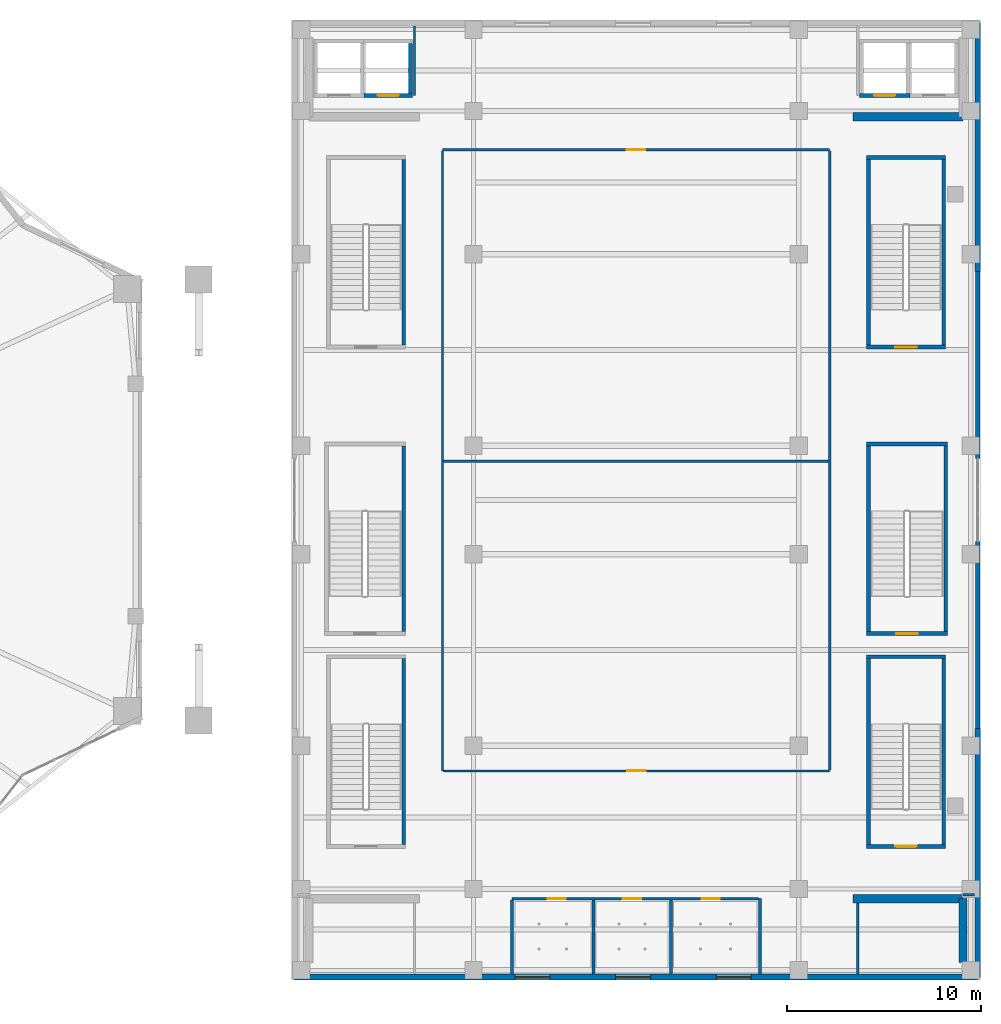
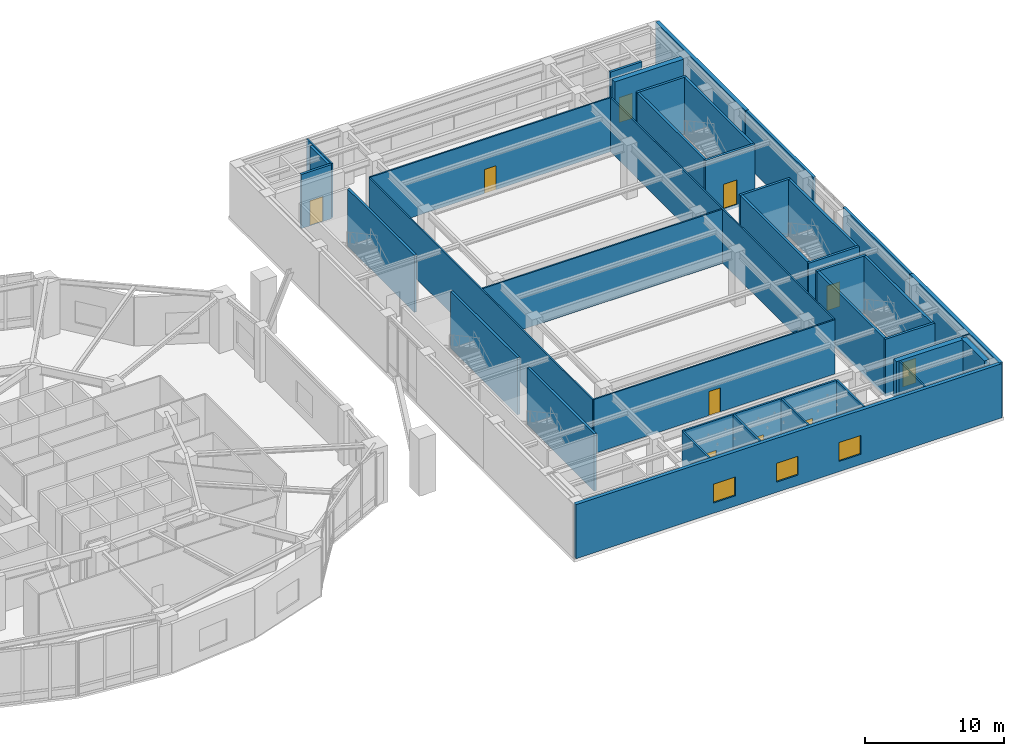
# One storey, part 15 of 21: 39 walls, 10 doors, 3 windows, 13 openings.
"""IFC4 building model written with IfcOpenShell, lengths in metres."""

from ifc_helpers import new_model, si_unit, direction, frame, frame_2d, origin, place, context, subcontext, project, spatial, rectangle, extrude, material, layer, layer_set, type_object, element, fill, save


model = new_model("IFC4")

# Units and contexts
model_context = context("Model", 3, precision=1e-05, world=origin(), true_north=direction((0.0, 1.0)))
body_context = subcontext(model_context, "Body", "Model", "MODEL_VIEW")
ifc_project = project(units=[si_unit("LENGTHUNIT", "METRE"), si_unit("AREAUNIT", "SQUARE_METRE"), si_unit("VOLUMEUNIT", "CUBIC_METRE"), si_unit("PLANEANGLEUNIT", "RADIAN"), si_unit("MASSUNIT", "GRAM", prefix="KILO")], contexts=[model_context])

# Site, building, storey
site_placement = place(None, origin())
site = spatial("IfcSite", under=ifc_project, at=site_placement, CompositionType="ELEMENT")
building_placement = place(site_placement, origin())
building = spatial("IfcBuilding", under=site, at=building_placement, Name="Kolvaren Gate Tower and Convention Centre", CompositionType="ELEMENT")
storey_placement = place(building_placement, frame((0.0, 0.0, 5.0)))
storey = spatial("IfcBuildingStorey", under=building, at=storey_placement, Name="L01", CompositionType="ELEMENT", Elevation=5.0)

# Walls
ifc_material_1 = material(Name="Fire-Rated Acoustic Gypsum Stud Partition", Category="gypsum")
ifc_layer_1 = layer(ifc_material_1, 0.1201171875)
ifc_layer_set_1 = layer_set([ifc_layer_1], Name="Fire-Rated Acoustic Gypsum Stud Partition")
wall_type_1 = type_object("IfcWallType", Name="ARCH-WL-PART-120", PredefinedType="PARTITIONING", material=ifc_layer_set_1)
wall_1_placement = place(storey_placement, frame((96.89990234375, 6.60009765625, 0.0), z_axis=(0.0, 0.0, 1.0), x_axis=(1.0, 0.0, 0.0)))
element("IfcWall", 1, at=wall_1_placement, inside=storey, type_object=wall_type_1, Name="Interior Partition WL-L01-INT-051", PredefinedType="PARTITIONING", context=body_context, shape_type="SweptSolid", body=[
    extrude(rectangle(XDim=0.59814453125, YDim=0.1201171875, at=frame_2d((0.299072265625, 0.0))), origin(), (0.0, 0.0, 1.0), 4.739990234375),
])
wall_2_placement = place(storey_placement, frame((68.550048828125, 47.89990234375, 0.0), z_axis=(0.0, 0.0, 1.0), x_axis=(0.0, 1.0, 0.0)))
element("IfcWall", 2, at=wall_2_placement, inside=storey, type_object=wall_type_1, Name="Interior Partition WL-L01-INT-053", PredefinedType="PARTITIONING", context=body_context, shape_type="SweptSolid", body=[
    extrude(rectangle(XDim=3.59814453125, YDim=0.1201171875, at=frame_2d((1.799072265625, 0.0))), origin(), (0.0, 0.0, 1.0), 4.739990234375),
])
wall_3_placement = place(storey_placement, frame((91.449951171875, 2.501953125, 0.0), z_axis=(0.0, 0.0, 1.0), x_axis=(0.0, 1.0, 0.0)))
element("IfcWall", 3, at=wall_3_placement, inside=storey, type_object=wall_type_1, Name="Interior Partition WL-L01-INT-054", PredefinedType="PARTITIONING", context=body_context, shape_type="SweptSolid", body=[
    extrude(rectangle(XDim=3.68603515625, YDim=0.1201171875, at=frame_2d((1.843017578125, 0.0))), origin(), (0.0, 0.0, 1.0), 4.739990234375),
])

# Wall, opening, door
wall_4_placement = place(storey_placement, frame((70.0, 45.10009765625, 0.0), z_axis=(0.0, 0.0, 1.0), x_axis=(1.0, 0.0, 0.0)))
wall_4 = element("IfcWall", 4, at=wall_4_placement, inside=storey, type_object=wall_type_1, Name="Interior Partition WL-L01-INT-059", PredefinedType="PARTITIONING", context=body_context, shape_type="SweptSolid", body=[
    extrude(rectangle(XDim=20.0, YDim=0.1201171875, at=frame_2d((10.0, 0.0))), origin(), (0.0, 0.0, 1.0), 4.739990234375),
])
opening_1_placement = place(wall_4_placement, frame((9.52490234375, 0.0, 0.0)))
opening_1 = element("IfcOpeningElement", 5, at=opening_1_placement, cuts=wall_4, Name="Opening DR-01", PredefinedType="OPENING", context=body_context, shape_type="SweptSolid", body=[
    extrude(rectangle(XDim=0.949951171875, YDim=2.10009765625, at=frame_2d((0.47509765625, 1.050048828125))), frame((0.0, 0.070068359375, 0.0), z_axis=(0.0, -1.0, 0.0), x_axis=(1.0, 0.0, 0.0)), (0.0, 0.0, 1.0), 0.14013671875),
])
ifc_material_2 = material(Name="Painted Architectural Steelwork ASTM A500 Grade C 345 MPa", Category="steel")
door_type_1 = type_object("IfcDoorType", Name="ARCH-DR-RISER-950", OperationType="SINGLE_SWING_RIGHT", PredefinedType="DOOR", material=ifc_material_2)
door_1_placement = place(opening_1_placement, origin())
door_1 = element("IfcDoor", 6, at=door_1_placement, inside=storey, type_object=door_type_1, Name="Breakout Symposium Theatre B Door", OperationType="SINGLE_SWING_LEFT", OverallHeight=2.10009765625, OverallWidth=0.949951171875, PredefinedType="DOOR", context=body_context, shape_type="SweptSolid", body=[
    extrude(rectangle(XDim=0.949951171875, YDim=2.10009765625, at=frame_2d((0.47509765625, 1.050048828125))), frame((0.0, 0.02490234375, 0.0), z_axis=(0.0, -1.0, 0.0), x_axis=(1.0, 0.0, 0.0)), (0.0, 0.0, 1.0), 0.050048828125),
])
fill(opening_1, door_1)

# Wall
wall_5_placement = place(storey_placement, frame((70.0, 13.0, 0.0), z_axis=(0.0, 0.0, 1.0), x_axis=(0.0, 1.0, 0.0)))
element("IfcWall", 7, at=wall_5_placement, inside=storey, type_object=wall_type_1, Name="Interior Partition WL-L01-INT-060", PredefinedType="PARTITIONING", context=body_context, shape_type="SweptSolid", body=[
    extrude(rectangle(XDim=32.0380859375, YDim=0.1201171875, at=frame_2d((16.01904296875, 0.0))), origin(), (0.0, 0.0, 1.0), 4.739990234375),
])

# Wall, opening, door
wall_6_placement = place(storey_placement, frame((70.06201171875, 13.0, 0.0), z_axis=(0.0, 0.0, 1.0), x_axis=(1.0, 0.0, 0.0)))
wall_6 = element("IfcWall", 8, at=wall_6_placement, inside=storey, type_object=wall_type_1, Name="Interior Partition WL-L01-INT-061", PredefinedType="PARTITIONING", context=body_context, shape_type="SweptSolid", body=[
    extrude(rectangle(XDim=19.93798828125, YDim=0.1201171875, at=frame_2d((9.968994140625, 0.0))), origin(), (0.0, 0.0, 1.0), 4.739990234375),
])
opening_2_placement = place(wall_6_placement, frame((9.493896484375, 0.0, 0.0)))
opening_2 = element("IfcOpeningElement", 9, at=opening_2_placement, cuts=wall_6, Name="Opening DR-01", PredefinedType="OPENING", context=body_context, shape_type="SweptSolid", body=[
    extrude(rectangle(XDim=0.949951171875, YDim=2.10009765625, at=frame_2d((0.47509765625, 1.050048828125))), frame((0.0, 0.070068359375, 0.0), z_axis=(0.0, -1.0, 0.0), x_axis=(1.0, 0.0, 0.0)), (0.0, 0.0, 1.0), 0.14013671875),
])
door_2_placement = place(opening_2_placement, origin())
door_2 = element("IfcDoor", 10, at=door_2_placement, inside=storey, type_object=door_type_1, Name="Breakout Symposium Theatre A Door", OperationType="SINGLE_SWING_RIGHT", OverallHeight=2.10009765625, OverallWidth=0.949951171875, PredefinedType="DOOR", context=body_context, shape_type="SweptSolid", body=[
    extrude(rectangle(XDim=0.949951171875, YDim=2.10009765625, at=frame_2d((0.47509765625, 1.050048828125))), frame((0.0, 0.02490234375, 0.0), z_axis=(0.0, -1.0, 0.0), x_axis=(1.0, 0.0, 0.0)), (0.0, 0.0, 1.0), 0.050048828125),
])
fill(opening_2, door_2)

# Walls
wall_7_placement = place(storey_placement, frame((90.0, 13.06201171875, 0.0), z_axis=(0.0, 0.0, 1.0), x_axis=(0.0, 1.0, 0.0)))
element("IfcWall", 11, at=wall_7_placement, inside=storey, type_object=wall_type_1, Name="Interior Partition WL-L01-INT-062", PredefinedType="PARTITIONING", context=body_context, shape_type="SweptSolid", body=[
    extrude(rectangle(XDim=31.97607421875, YDim=0.1201171875, at=frame_2d((15.988037109375, 0.0))), origin(), (0.0, 0.0, 1.0), 4.739990234375),
])
wall_8_placement = place(storey_placement, frame((70.06201171875, 29.0, 0.0), z_axis=(0.0, 0.0, 1.0), x_axis=(1.0, 0.0, 0.0)))
element("IfcWall", 12, at=wall_8_placement, inside=storey, type_object=wall_type_1, Name="Interior Partition WL-L01-INT-065", PredefinedType="PARTITIONING", context=body_context, shape_type="SweptSolid", body=[
    extrude(rectangle(XDim=19.8759765625, YDim=0.1201171875, at=frame_2d((9.93798828125, 0.0))), origin(), (0.0, 0.0, 1.0), 4.739990234375),
])
ifc_material_3 = material(Name="Bogota Sabana Bush-Hammered Sandstone Cladding", Category="masonry")
ifc_layer_2 = layer(ifc_material_3, 0.219970703125)
ifc_layer_set_2 = layer_set([ifc_layer_2], Name="Bogota Sabana Bush-Hammered Sandstone Cladding")
wall_type_2 = type_object("IfcWallType", Name="ARCH-WL-PIER-220", PredefinedType="SOLIDWALL", material=ifc_layer_set_2)
for number, where, z_axis, x_axis, name in (
    (13, (97.64990234375, 15.199951171875, 0.0), (0.0, 0.0, 1.0), (0.0, 1.0, 0.0), "Convention L01 E Foyer Curtain Wall CW-CC-L01-E Left Column Pier Wrap"),
    (14, (97.64990234375, 29.139892578125, 0.0), (0.0, 0.0, 1.0), (0.0, 1.0, 0.0), "Convention L01 E Foyer Curtain Wall CW-CC-L01-E Right Column Pier Wrap"),
):
    element("IfcWall", number, at=place(storey_placement, frame(where, z_axis=z_axis, x_axis=x_axis)), inside=storey, type_object=wall_type_2, Name=name, PredefinedType="SOLIDWALL", context=body_context, shape_type="SweptSolid", body=[
        extrude(rectangle(XDim=9.66015625, YDim=0.219970703125, at=frame_2d((4.830078125, 0.0))), origin(), (0.0, 0.0, 1.0), 4.739990234375),
    ])

# Wall, opening, door
ifc_material_4 = material(Name="Autoclaved Aerated Masonry Blockwork Class 4 (4.0 MPa)", Category="masonry")
ifc_layer_3 = layer(ifc_material_4, 0.199951171875)
ifc_layer_set_3 = layer_set([ifc_layer_3], Name="Autoclaved Aerated Masonry Blockwork Class 4 (4.0 MPa)")
wall_type_3 = type_object("IfcWallType", Name="ARCH-WL-SHAFT-200", PredefinedType="SOLIDWALL", material=ifc_layer_set_3)
wall_9_placement = place(storey_placement, frame((65.949951171875, 47.89990234375, 0.0), z_axis=(0.0, 0.0, 1.0), x_axis=(1.0, 0.0, 0.0)))
wall_9 = element("IfcWall", 15, at=wall_9_placement, inside=storey, type_object=wall_type_3, Name="Elevator CL-02 L01 Fire Shaft Wall S", PredefinedType="SOLIDWALL", context=body_context, shape_type="SweptSolid", body=[
    extrude(rectangle(XDim=2.5, YDim=0.199951171875, at=frame_2d((1.25, 0.0))), origin(), (0.0, 0.0, 1.0), 4.739990234375),
])
opening_3_placement = place(wall_9_placement, frame((0.699951171875, 0.0, 0.0)))
opening_3 = element("IfcOpeningElement", 16, at=opening_3_placement, cuts=wall_9, Name="Opening LD", PredefinedType="OPENING", context=body_context, shape_type="SweptSolid", body=[
    extrude(rectangle(XDim=1.10009765625, YDim=2.199951171875, at=frame_2d((0.550048828125, 1.10009765625))), frame((0.0, 0.10986328125, 0.0), z_axis=(0.0, -1.0, 0.0), x_axis=(1.0, 0.0, 0.0)), (0.0, 0.0, 1.0), 0.219970703125),
])
ifc_material_5 = material(Name="Brushed Stainless Steel Grade 316L", Category="steel")
door_type_2 = type_object("IfcDoorType", Name="ARCH-DR-LIFT-1100", OperationType="SLIDING_TO_LEFT", PredefinedType="DOOR", material=ifc_material_5)
door_3_placement = place(opening_3_placement, origin())
door_3 = element("IfcDoor", 17, at=door_3_placement, inside=storey, type_object=door_type_2, Name="Elevator CL-02 L01 Sliding Landing Door", OperationType="SLIDING_TO_LEFT", OverallHeight=2.199951171875, OverallWidth=1.10009765625, PredefinedType="DOOR", context=body_context, shape_type="SweptSolid", body=[
    extrude(rectangle(XDim=1.10009765625, YDim=2.199951171875, at=frame_2d((0.550048828125, 1.10009765625))), frame((0.0, 0.02490234375, 0.0), z_axis=(0.0, -1.0, 0.0), x_axis=(1.0, 0.0, 0.0)), (0.0, 0.0, 1.0), 0.050048828125),
])
fill(opening_3, door_3)

# Wall
wall_10_placement = place(storey_placement, frame((68.35009765625, 48.010009765625, 0.0), z_axis=(0.0, 0.0, 1.0), x_axis=(0.0, 1.0, 0.0)))
element("IfcWall", 18, at=wall_10_placement, inside=storey, type_object=wall_type_3, Name="Elevator CL-02 L01 Fire Shaft Wall E", PredefinedType="SOLIDWALL", context=body_context, shape_type="SweptSolid", body=[
    extrude(rectangle(XDim=2.580078125, YDim=0.199951171875, at=frame_2d((1.2900390625, 0.0))), origin(), (0.0, 0.0, 1.0), 4.739990234375),
])

# Wall, opening, door
wall_11_placement = place(storey_placement, frame((91.550048828125, 47.89990234375, 0.0), z_axis=(0.0, 0.0, 1.0), x_axis=(1.0, 0.0, 0.0)))
wall_11 = element("IfcWall", 19, at=wall_11_placement, inside=storey, type_object=wall_type_3, Name="Elevator CL-03 L01 Fire Shaft Wall S", PredefinedType="SOLIDWALL", context=body_context, shape_type="SweptSolid", body=[
    extrude(rectangle(XDim=2.599853515625, YDim=0.199951171875, at=frame_2d((1.2998046875, 0.0))), origin(), (0.0, 0.0, 1.0), 4.739990234375),
])
opening_4_placement = place(wall_11_placement, frame((0.75, 0.0, 0.0)))
opening_4 = element("IfcOpeningElement", 20, at=opening_4_placement, cuts=wall_11, Name="Opening LD", PredefinedType="OPENING", context=body_context, shape_type="SweptSolid", body=[
    extrude(rectangle(XDim=1.10009765625, YDim=2.199951171875, at=frame_2d((0.550048828125, 1.10009765625))), frame((0.0, 0.10986328125, 0.0), z_axis=(0.0, -1.0, 0.0), x_axis=(1.0, 0.0, 0.0)), (0.0, 0.0, 1.0), 0.219970703125),
])
door_4_placement = place(opening_4_placement, origin())
door_4 = element("IfcDoor", 21, at=door_4_placement, inside=storey, type_object=door_type_2, Name="Elevator CL-03 L01 Sliding Landing Door", OperationType="SLIDING_TO_LEFT", OverallHeight=2.199951171875, OverallWidth=1.10009765625, PredefinedType="DOOR", context=body_context, shape_type="SweptSolid", body=[
    extrude(rectangle(XDim=1.10009765625, YDim=2.199951171875, at=frame_2d((0.550048828125, 1.10009765625))), frame((0.0, 0.02490234375, 0.0), z_axis=(0.0, -1.0, 0.0), x_axis=(1.0, 0.0, 0.0)), (0.0, 0.0, 1.0), 0.050048828125),
])
fill(opening_4, door_4)

# Wall, openings, windows
ifc_material_6 = material(Name="Piedmont Cream Honed Limestone Cladding", Category="masonry")
ifc_layer_4 = layer(ifc_material_6, 0.300048828125)
ifc_layer_set_4 = layer_set([ifc_layer_4], Name="Piedmont Cream Honed Limestone Cladding")
wall_type_4 = type_object("IfcWallType", Name="ARCH-WL-STONE-300", PredefinedType="SOLIDWALL", material=ifc_layer_set_4)
wall_12_placement = place(storey_placement, frame((62.35009765625, 2.35009765625, 0.0), z_axis=(0.0, 0.0, 1.0), x_axis=(1.0, 0.0, 0.0)))
wall_12 = element("IfcWall", 22, at=wall_12_placement, inside=storey, type_object=wall_type_4, Name="Convention Centre L01 S Stone Facade Wall", PredefinedType="SOLIDWALL", context=body_context, shape_type="SweptSolid", body=[
    extrude(rectangle(XDim=35.2998046875, YDim=0.300048828125, at=frame_2d((17.64990234375, 0.0))), origin(), (0.0, 0.0, 1.0), 4.739990234375),
])
opening_5_placement = place(wall_12_placement, frame((11.39990234375, 0.0, 0.89990234375)))
opening_5 = element("IfcOpeningElement", 23, at=opening_5_placement, cuts=wall_12, Name="Opening W-05", PredefinedType="OPENING", context=body_context, shape_type="SweptSolid", body=[
    extrude(rectangle(XDim=1.800048828125, YDim=1.64990234375, at=frame_2d((0.89990234375, 0.824951171875))), frame((0.0, 0.159912109375, 0.0), z_axis=(0.0, -1.0, 0.0), x_axis=(1.0, 0.0, 0.0)), (0.0, 0.0, 1.0), 0.320068359375),
])
opening_6_placement = place(wall_12_placement, frame((16.60009765625, 0.0, 0.89990234375)))
opening_6 = element("IfcOpeningElement", 24, at=opening_6_placement, cuts=wall_12, Name="Opening W-05", PredefinedType="OPENING", context=body_context, shape_type="SweptSolid", body=[
    extrude(rectangle(XDim=1.800048828125, YDim=1.64990234375, at=frame_2d((0.89990234375, 0.824951171875))), frame((0.0, 0.159912109375, 0.0), z_axis=(0.0, -1.0, 0.0), x_axis=(1.0, 0.0, 0.0)), (0.0, 0.0, 1.0), 0.320068359375),
])
opening_7_placement = place(wall_12_placement, frame((21.800048828125, 0.0, 0.89990234375)))
opening_7 = element("IfcOpeningElement", 25, at=opening_7_placement, cuts=wall_12, Name="Opening W-05", PredefinedType="OPENING", context=body_context, shape_type="SweptSolid", body=[
    extrude(rectangle(XDim=1.800048828125, YDim=1.64990234375, at=frame_2d((0.89990234375, 0.824951171875))), frame((0.0, 0.159912109375, 0.0), z_axis=(0.0, -1.0, 0.0), x_axis=(1.0, 0.0, 0.0)), (0.0, 0.0, 1.0), 0.320068359375),
])
ifc_material_7 = material(Name="Low-E Triple Insulated Glazing Unit 44 mm", Category="glass")
window_type = type_object("IfcWindowType", Name="ARCH-WN-CONV-1800", PartitioningType="SINGLE_PANEL", PredefinedType="WINDOW", material=ifc_material_7)
window_1_placement = place(opening_5_placement, origin())
window_1 = element("IfcWindow", 26, at=window_1_placement, inside=storey, type_object=window_type, Name="Convention L01 S Clerestory Window CW-1", OverallHeight=1.64990234375, OverallWidth=1.800048828125, PartitioningType="SINGLE_PANEL", PredefinedType="WINDOW", context=body_context, shape_type="SweptSolid", body=[
    extrude(rectangle(XDim=1.800048828125, YDim=1.64990234375, at=frame_2d((0.89990234375, 0.824951171875))), frame((0.0, 0.030029296875, 0.0), z_axis=(0.0, -1.0, 0.0), x_axis=(1.0, 0.0, 0.0)), (0.0, 0.0, 1.0), 0.06005859375),
])
fill(opening_5, window_1)
window_2_placement = place(opening_6_placement, origin())
window_2 = element("IfcWindow", 27, at=window_2_placement, inside=storey, type_object=window_type, Name="Convention L01 S Clerestory Window CW-2", OverallHeight=1.64990234375, OverallWidth=1.800048828125, PartitioningType="SINGLE_PANEL", PredefinedType="WINDOW", context=body_context, shape_type="SweptSolid", body=[
    extrude(rectangle(XDim=1.800048828125, YDim=1.64990234375, at=frame_2d((0.89990234375, 0.824951171875))), frame((0.0, 0.030029296875, 0.0), z_axis=(0.0, -1.0, 0.0), x_axis=(1.0, 0.0, 0.0)), (0.0, 0.0, 1.0), 0.06005859375),
])
fill(opening_6, window_2)
window_3_placement = place(opening_7_placement, origin())
window_3 = element("IfcWindow", 28, at=window_3_placement, inside=storey, type_object=window_type, Name="Convention L01 S Clerestory Window CW-3", OverallHeight=1.64990234375, OverallWidth=1.800048828125, PartitioningType="SINGLE_PANEL", PredefinedType="WINDOW", context=body_context, shape_type="SweptSolid", body=[
    extrude(rectangle(XDim=1.800048828125, YDim=1.64990234375, at=frame_2d((0.89990234375, 0.824951171875))), frame((0.0, 0.030029296875, 0.0), z_axis=(0.0, -1.0, 0.0), x_axis=(1.0, 0.0, 0.0)), (0.0, 0.0, 1.0), 0.06005859375),
])
fill(opening_7, window_3)

# Walls
for number, where, z_axis, x_axis, name in (
    (29, (97.64990234375, 2.35009765625, 0.0), (0.0, 0.0, 1.0), (0.0, 1.0, 0.0), "Convention L01 E Stone Wing Wall South"),
    (30, (97.64990234375, 38.800048828125, 0.0), (0.0, 0.0, 1.0), (0.0, 1.0, 0.0), "Convention L01 E Stone Wing Wall North"),
):
    element("IfcWall", number, at=place(storey_placement, frame(where, z_axis=z_axis, x_axis=x_axis)), inside=storey, type_object=wall_type_4, Name=name, PredefinedType="SOLIDWALL", context=body_context, shape_type="SweptSolid", body=[
        extrude(rectangle(XDim=12.849853515625, YDim=0.300048828125, at=frame_2d((6.4248046875, 0.0))), origin(), (0.0, 0.0, 1.0), 4.739990234375),
    ])
ifc_material_8 = material(Name="Moisture-Resistant Cement-Board Acoustic Partition", Category="gypsum")
ifc_layer_5 = layer(ifc_material_8, 0.14990234375)
ifc_layer_set_5 = layer_set([ifc_layer_5], Name="Moisture-Resistant Cement-Board Acoustic Partition")
wall_type_5 = type_object("IfcWallType", Name="ARCH-WL-WET-150", PredefinedType="PARTITIONING", material=ifc_layer_set_5)
wall_13_placement = place(storey_placement, frame((86.39990234375, 2.501953125, 0.0), z_axis=(0.0, 0.0, 1.0), x_axis=(0.0, 1.0, 0.0)))
element("IfcWall", 31, at=wall_13_placement, inside=storey, type_object=wall_type_5, Name="Interior Partition WL-L01-INT-056", PredefinedType="PARTITIONING", context=body_context, shape_type="SweptSolid", body=[
    extrude(rectangle(XDim=3.89794921875, YDim=0.14990234375, at=frame_2d((1.948974609375, 0.0))), origin(), (0.0, 0.0, 1.0), 4.739990234375),
])

# Wall, openings, doors
wall_14_placement = place(storey_placement, frame((73.60009765625, 6.39990234375, 0.0), z_axis=(0.0, 0.0, 1.0), x_axis=(1.0, 0.0, 0.0)))
wall_14 = element("IfcWall", 32, at=wall_14_placement, inside=storey, type_object=wall_type_5, Name="Interior Partition WL-L01-INT-057", PredefinedType="PARTITIONING", context=body_context, shape_type="SweptSolid", body=[
    extrude(rectangle(XDim=12.722900390625, YDim=0.14990234375, at=frame_2d((6.361328125, 0.0))), origin(), (0.0, 0.0, 1.0), 4.739990234375),
])
opening_8_placement = place(wall_14_placement, frame((1.830078125, 0.0, 0.0)))
opening_8 = element("IfcOpeningElement", 33, at=opening_8_placement, cuts=wall_14, Name="Opening DR-01", PredefinedType="OPENING", context=body_context, shape_type="SweptSolid", body=[
    extrude(rectangle(XDim=0.949951171875, YDim=2.10009765625, at=frame_2d((0.47509765625, 1.050048828125))), frame((0.0, 0.0849609375, 0.0), z_axis=(0.0, -1.0, 0.0), x_axis=(1.0, 0.0, 0.0)), (0.0, 0.0, 1.0), 0.169921875),
])
opening_9_placement = place(wall_14_placement, frame((5.72509765625, 0.0, 0.0)))
opening_9 = element("IfcOpeningElement", 34, at=opening_9_placement, cuts=wall_14, Name="Opening DR-01", PredefinedType="OPENING", context=body_context, shape_type="SweptSolid", body=[
    extrude(rectangle(XDim=0.949951171875, YDim=2.10009765625, at=frame_2d((0.47509765625, 1.050048828125))), frame((0.0, 0.0849609375, 0.0), z_axis=(0.0, -1.0, 0.0), x_axis=(1.0, 0.0, 0.0)), (0.0, 0.0, 1.0), 0.169921875),
])
opening_10_placement = place(wall_14_placement, frame((9.781494140625, 0.0, 0.0)))
opening_10 = element("IfcOpeningElement", 35, at=opening_10_placement, cuts=wall_14, Name="Opening DR-01", PredefinedType="OPENING", context=body_context, shape_type="SweptSolid", body=[
    extrude(rectangle(XDim=0.949951171875, YDim=2.10009765625, at=frame_2d((0.47509765625, 1.050048828125))), frame((0.0, 0.0849609375, 0.0), z_axis=(0.0, -1.0, 0.0), x_axis=(1.0, 0.0, 0.0)), (0.0, 0.0, 1.0), 0.169921875),
])
door_5_placement = place(opening_8_placement, origin())
door_5 = element("IfcDoor", 36, at=door_5_placement, inside=storey, type_object=door_type_1, Name="Convention L01 Delegate Male Restroom Door", OperationType="SINGLE_SWING_LEFT", OverallHeight=2.10009765625, OverallWidth=0.949951171875, PredefinedType="DOOR", context=body_context, shape_type="SweptSolid", body=[
    extrude(rectangle(XDim=0.949951171875, YDim=2.10009765625, at=frame_2d((0.47509765625, 1.050048828125))), frame((0.0, 0.02490234375, 0.0), z_axis=(0.0, -1.0, 0.0), x_axis=(1.0, 0.0, 0.0)), (0.0, 0.0, 1.0), 0.050048828125),
])
fill(opening_8, door_5)
door_6_placement = place(opening_9_placement, origin())
door_6 = element("IfcDoor", 37, at=door_6_placement, inside=storey, type_object=door_type_1, Name="Convention L01 Accessible Restroom Door", OperationType="SINGLE_SWING_RIGHT", OverallHeight=2.10009765625, OverallWidth=0.949951171875, PredefinedType="DOOR", context=body_context, shape_type="SweptSolid", body=[
    extrude(rectangle(XDim=0.949951171875, YDim=2.10009765625, at=frame_2d((0.47509765625, 1.050048828125))), frame((0.0, 0.02490234375, 0.0), z_axis=(0.0, -1.0, 0.0), x_axis=(1.0, 0.0, 0.0)), (0.0, 0.0, 1.0), 0.050048828125),
])
fill(opening_9, door_6)
door_7_placement = place(opening_10_placement, origin())
door_7 = element("IfcDoor", 38, at=door_7_placement, inside=storey, type_object=door_type_1, Name="Convention L01 Delegate Female Restroom Door", OperationType="SINGLE_SWING_LEFT", OverallHeight=2.10009765625, OverallWidth=0.949951171875, PredefinedType="DOOR", context=body_context, shape_type="SweptSolid", body=[
    extrude(rectangle(XDim=0.949951171875, YDim=2.10009765625, at=frame_2d((0.47509765625, 1.050048828125))), frame((0.0, 0.02490234375, 0.0), z_axis=(0.0, -1.0, 0.0), x_axis=(1.0, 0.0, 0.0)), (0.0, 0.0, 1.0), 0.050048828125),
])
fill(opening_10, door_7)

# Walls
for number, where, z_axis, x_axis, name in (
    (39, (73.60009765625, 2.501953125, 0.0), (0.0, 0.0, 1.0), (0.0, 1.0, 0.0), "Interior Partition WL-L01-INT-058"),
    (40, (77.800048828125, 2.501953125, 0.0), (0.0, 0.0, 1.0), (0.0, 1.0, 0.0), "Interior Partition WL-L01-INT-063"),
    (41, (81.800048828125, 2.501953125, 0.0), (0.0, 0.0, 1.0), (0.0, 1.0, 0.0), "Interior Partition WL-L01-INT-064"),
):
    element("IfcWall", number, at=place(storey_placement, frame(where, z_axis=z_axis, x_axis=x_axis)), inside=storey, type_object=wall_type_5, Name=name, PredefinedType="PARTITIONING", context=body_context, shape_type="SweptSolid", body=[
        extrude(rectangle(XDim=3.821044921875, YDim=0.14990234375, at=frame_2d((1.91064453125, 0.0))), origin(), (0.0, 0.0, 1.0), 4.739990234375),
    ])
ifc_material_9 = material(Name="Concrete C50/60", Category="concrete")
ifc_layer_6 = layer(ifc_material_9, 0.419921875)
ifc_layer_set_6 = layer_set([ifc_layer_6], Name="Concrete C50/60")
wall_type_6 = type_object("IfcWallType", Name="STR-WL-CONV-420", PredefinedType="SHEAR", material=ifc_layer_set_6)
wall_15_placement = place(storey_placement, frame((91.199951171875, 46.800048828125, -0.260009765625), z_axis=(0.0, 0.0, 1.0), x_axis=(1.0, 0.0, 0.0)))
element("IfcWall", 42, at=wall_15_placement, inside=storey, type_object=wall_type_6, Name="Convention L01 Shear Core Wall CCNE-S", PredefinedType="SHEAR", context=body_context, shape_type="SweptSolid", body=[
    extrude(rectangle(XDim=5.699951171875, YDim=0.419921875, at=frame_2d((2.85009765625, 0.0))), origin(), (0.0, 0.0, 1.0), 5.0),
])
wall_16_placement = place(storey_placement, frame((96.89990234375, 3.10009765625, -0.260009765625), z_axis=(0.0, 0.0, 1.0), x_axis=(0.0, 1.0, 0.0)))
element("IfcWall", 43, at=wall_16_placement, inside=storey, type_object=wall_type_6, Name="Convention L01 Shear Core Wall CCSE-E", PredefinedType="SHEAR", context=body_context, shape_type="SweptSolid", body=[
    extrude(rectangle(XDim=3.2998046875, YDim=0.419921875, at=frame_2d((1.64990234375, 0.0))), origin(), (0.0, 0.0, 1.0), 5.0),
])
wall_17_placement = place(storey_placement, frame((91.199951171875, 6.39990234375, -0.260009765625), z_axis=(0.0, 0.0, 1.0), x_axis=(1.0, 0.0, 0.0)))
element("IfcWall", 44, at=wall_17_placement, inside=storey, type_object=wall_type_6, Name="Convention L01 Shear Core Wall CCSE-N", PredefinedType="SHEAR", context=body_context, shape_type="SweptSolid", body=[
    extrude(rectangle(XDim=5.699951171875, YDim=0.419921875, at=frame_2d((2.85009765625, 0.0))), origin(), (0.0, 0.0, 1.0), 5.0),
])
ifc_layer_7 = layer(ifc_material_9, 0.199951171875)
ifc_layer_set_7 = layer_set([ifc_layer_7], Name="Concrete C50/60")
wall_type_7 = type_object("IfcWallType", Name="STR-WL-SHAFT-200", PredefinedType="SHEAR", material=ifc_layer_set_7)
wall_18_placement = place(storey_placement, frame((68.0, 35.001953125, -0.260009765625), z_axis=(0.0, 0.0, 1.0), x_axis=(0.0, 1.0, 0.0)))
element("IfcWall", 45, at=wall_18_placement, inside=storey, type_object=wall_type_7, Name="Convention NW Exit Stair ST-C1 L01 Structural Shear Enclosure Wall EAST", PredefinedType="SHEAR", context=body_context, shape_type="SweptSolid", body=[
    extrude(rectangle(XDim=9.595947265625, YDim=0.199951171875, at=frame_2d((4.7978515625, 0.0))), origin(), (0.0, 0.0, 1.0), 5.0),
])
wall_19_placement = place(storey_placement, frame((68.0, 9.201904296875, -0.260009765625), z_axis=(0.0, 0.0, 1.0), x_axis=(0.0, 1.0, 0.0)))
element("IfcWall", 46, at=wall_19_placement, inside=storey, type_object=wall_type_7, Name="Convention SW Exit Stair ST-C2 L01 Structural Shear Enclosure Wall EAST", PredefinedType="SHEAR", context=body_context, shape_type="SweptSolid", body=[
    extrude(rectangle(XDim=9.59619140625, YDim=0.199951171875, at=frame_2d((4.798095703125, 0.0))), origin(), (0.0, 0.0, 1.0), 5.0),
])

# Wall, opening, door
wall_20_placement = place(storey_placement, frame((91.89990234375, 34.89990234375, -0.260009765625), z_axis=(0.0, 0.0, 1.0), x_axis=(1.0, 0.0, 0.0)))
wall_20 = element("IfcWall", 47, at=wall_20_placement, inside=storey, type_object=wall_type_7, Name="Convention NE Exit Stair ST-C3 L01 Structural Shear Enclosure Wall NEAR", PredefinedType="SHEAR", context=body_context, shape_type="SweptSolid", body=[
    extrude(rectangle(XDim=4.10009765625, YDim=0.199951171875, at=frame_2d((2.050048828125, 0.0))), origin(), (0.0, 0.0, 1.0), 5.0),
])
opening_11_placement = place(wall_20_placement, frame((1.5, 0.0, 0.260009765625)))
opening_11 = element("IfcOpeningElement", 48, at=opening_11_placement, cuts=wall_20, Name="Opening DS-01", PredefinedType="OPENING", context=body_context, shape_type="SweptSolid", body=[
    extrude(rectangle(XDim=1.10009765625, YDim=2.14990234375, at=frame_2d((0.550048828125, 1.074951171875))), frame((0.0, 0.10986328125, 0.0), z_axis=(0.0, -1.0, 0.0), x_axis=(1.0, 0.0, 0.0)), (0.0, 0.0, 1.0), 0.219970703125),
])
door_type_3 = type_object("IfcDoorType", Name="ARCH-DR-STAIR-1100", OperationType="SINGLE_SWING_LEFT", PredefinedType="DOOR", material=ifc_material_2)
door_8_placement = place(opening_11_placement, origin())
door_8 = element("IfcDoor", 49, at=door_8_placement, inside=storey, type_object=door_type_3, Name="Convention NE Exit Stair ST-C3 L01 Fire Exit Stair Door", OperationType="SINGLE_SWING_LEFT", OverallHeight=2.14990234375, OverallWidth=1.10009765625, PredefinedType="DOOR", context=body_context, shape_type="SweptSolid", body=[
    extrude(rectangle(XDim=1.10009765625, YDim=2.14990234375, at=frame_2d((0.550048828125, 1.074951171875))), frame((0.0, 0.02490234375, 0.0), z_axis=(0.0, -1.0, 0.0), x_axis=(1.0, 0.0, 0.0)), (0.0, 0.0, 1.0), 0.050048828125),
])
fill(opening_11, door_8)

# Walls
wall_21_placement = place(storey_placement, frame((91.89990234375, 44.699951171875, -0.260009765625), z_axis=(0.0, 0.0, 1.0), x_axis=(1.0, 0.0, 0.0)))
element("IfcWall", 50, at=wall_21_placement, inside=storey, type_object=wall_type_7, Name="Convention NE Exit Stair ST-C3 L01 Structural Shear Enclosure Wall FAR", PredefinedType="SHEAR", context=body_context, shape_type="SweptSolid", body=[
    extrude(rectangle(XDim=4.10009765625, YDim=0.199951171875, at=frame_2d((2.050048828125, 0.0))), origin(), (0.0, 0.0, 1.0), 5.0),
])
for number, where, z_axis, x_axis, name in (
    (51, (92.0, 35.001953125, -0.260009765625), (0.0, 0.0, 1.0), (0.0, 1.0, 0.0), "Convention NE Exit Stair ST-C3 L01 Structural Shear Enclosure Wall WEST"),
    (52, (95.89990234375, 35.001953125, -0.260009765625), (0.0, 0.0, 1.0), (0.0, 1.0, 0.0), "Convention NE Exit Stair ST-C3 L01 Structural Shear Enclosure Wall EAST"),
):
    element("IfcWall", number, at=place(storey_placement, frame(where, z_axis=z_axis, x_axis=x_axis)), inside=storey, type_object=wall_type_7, Name=name, PredefinedType="SHEAR", context=body_context, shape_type="SweptSolid", body=[
        extrude(rectangle(XDim=9.595947265625, YDim=0.199951171875, at=frame_2d((4.7978515625, 0.0))), origin(), (0.0, 0.0, 1.0), 5.0),
    ])

# Wall, opening, door
wall_22_placement = place(storey_placement, frame((91.89990234375, 9.10009765625, -0.260009765625), z_axis=(0.0, 0.0, 1.0), x_axis=(1.0, 0.0, 0.0)))
wall_22 = element("IfcWall", 53, at=wall_22_placement, inside=storey, type_object=wall_type_7, Name="Convention SE Exit Stair ST-C4 L01 Structural Shear Enclosure Wall NEAR", PredefinedType="SHEAR", context=body_context, shape_type="SweptSolid", body=[
    extrude(rectangle(XDim=4.10009765625, YDim=0.199951171875, at=frame_2d((2.050048828125, 0.0))), origin(), (0.0, 0.0, 1.0), 5.0),
])
opening_12_placement = place(wall_22_placement, frame((1.5, 0.0, 0.260009765625)))
opening_12 = element("IfcOpeningElement", 54, at=opening_12_placement, cuts=wall_22, Name="Opening DS-01", PredefinedType="OPENING", context=body_context, shape_type="SweptSolid", body=[
    extrude(rectangle(XDim=1.10009765625, YDim=2.14990234375, at=frame_2d((0.550048828125, 1.074951171875))), frame((0.0, 0.10986328125, 0.0), z_axis=(0.0, -1.0, 0.0), x_axis=(1.0, 0.0, 0.0)), (0.0, 0.0, 1.0), 0.219970703125),
])
door_9_placement = place(opening_12_placement, origin())
door_9 = element("IfcDoor", 55, at=door_9_placement, inside=storey, type_object=door_type_3, Name="Convention SE Exit Stair ST-C4 L01 Fire Exit Stair Door", OperationType="SINGLE_SWING_LEFT", OverallHeight=2.14990234375, OverallWidth=1.10009765625, PredefinedType="DOOR", context=body_context, shape_type="SweptSolid", body=[
    extrude(rectangle(XDim=1.10009765625, YDim=2.14990234375, at=frame_2d((0.550048828125, 1.074951171875))), frame((0.0, 0.02490234375, 0.0), z_axis=(0.0, -1.0, 0.0), x_axis=(1.0, 0.0, 0.0)), (0.0, 0.0, 1.0), 0.050048828125),
])
fill(opening_12, door_9)

# Walls
wall_23_placement = place(storey_placement, frame((91.89990234375, 18.89990234375, -0.260009765625), z_axis=(0.0, 0.0, 1.0), x_axis=(1.0, 0.0, 0.0)))
element("IfcWall", 56, at=wall_23_placement, inside=storey, type_object=wall_type_7, Name="Convention SE Exit Stair ST-C4 L01 Structural Shear Enclosure Wall FAR", PredefinedType="SHEAR", context=body_context, shape_type="SweptSolid", body=[
    extrude(rectangle(XDim=4.10009765625, YDim=0.199951171875, at=frame_2d((2.050048828125, 0.0))), origin(), (0.0, 0.0, 1.0), 5.0),
])
for number, where, z_axis, x_axis, name in (
    (57, (92.0, 9.201904296875, -0.260009765625), (0.0, 0.0, 1.0), (0.0, 1.0, 0.0), "Convention SE Exit Stair ST-C4 L01 Structural Shear Enclosure Wall WEST"),
    (58, (95.89990234375, 9.201904296875, -0.260009765625), (0.0, 0.0, 1.0), (0.0, 1.0, 0.0), "Convention SE Exit Stair ST-C4 L01 Structural Shear Enclosure Wall EAST"),
    (59, (68.0, 20.201904296875, -0.260009765625), (0.0, 0.0, 1.0), (0.0, 1.0, 0.0), "Convention West Assembly Stair ST-C5 L01 Structural Shear Enclosure Wall EAST"),
):
    element("IfcWall", number, at=place(storey_placement, frame(where, z_axis=z_axis, x_axis=x_axis)), inside=storey, type_object=wall_type_7, Name=name, PredefinedType="SHEAR", context=body_context, shape_type="SweptSolid", body=[
        extrude(rectangle(XDim=9.59619140625, YDim=0.199951171875, at=frame_2d((4.798095703125, 0.0))), origin(), (0.0, 0.0, 1.0), 5.0),
    ])

# Wall, opening, door
wall_24_placement = place(storey_placement, frame((91.89990234375, 20.10009765625, -0.260009765625), z_axis=(0.0, 0.0, 1.0), x_axis=(1.0, 0.0, 0.0)))
wall_24 = element("IfcWall", 60, at=wall_24_placement, inside=storey, type_object=wall_type_7, Name="Convention East Assembly Stair ST-C6 L01 Structural Shear Enclosure Wall NEAR", PredefinedType="SHEAR", context=body_context, shape_type="SweptSolid", body=[
    extrude(rectangle(XDim=4.2001953125, YDim=0.199951171875, at=frame_2d((2.10009765625, 0.0))), origin(), (0.0, 0.0, 1.0), 5.0),
])
opening_13_placement = place(wall_24_placement, frame((1.550048828125, 0.0, 0.260009765625)))
opening_13 = element("IfcOpeningElement", 61, at=opening_13_placement, cuts=wall_24, Name="Opening DS-01", PredefinedType="OPENING", context=body_context, shape_type="SweptSolid", body=[
    extrude(rectangle(XDim=1.10009765625, YDim=2.14990234375, at=frame_2d((0.550048828125, 1.074951171875))), frame((0.0, 0.10986328125, 0.0), z_axis=(0.0, -1.0, 0.0), x_axis=(1.0, 0.0, 0.0)), (0.0, 0.0, 1.0), 0.219970703125),
])
door_10_placement = place(opening_13_placement, origin())
door_10 = element("IfcDoor", 62, at=door_10_placement, inside=storey, type_object=door_type_3, Name="Convention East Assembly Stair ST-C6 L01 Fire Exit Stair Door", OperationType="SINGLE_SWING_LEFT", OverallHeight=2.14990234375, OverallWidth=1.10009765625, PredefinedType="DOOR", context=body_context, shape_type="SweptSolid", body=[
    extrude(rectangle(XDim=1.10009765625, YDim=2.14990234375, at=frame_2d((0.550048828125, 1.074951171875))), frame((0.0, 0.02490234375, 0.0), z_axis=(0.0, -1.0, 0.0), x_axis=(1.0, 0.0, 0.0)), (0.0, 0.0, 1.0), 0.050048828125),
])
fill(opening_13, door_10)

# Walls
wall_25_placement = place(storey_placement, frame((91.89990234375, 29.89990234375, -0.260009765625), z_axis=(0.0, 0.0, 1.0), x_axis=(1.0, 0.0, 0.0)))
element("IfcWall", 63, at=wall_25_placement, inside=storey, type_object=wall_type_7, Name="Convention East Assembly Stair ST-C6 L01 Structural Shear Enclosure Wall FAR", PredefinedType="SHEAR", context=body_context, shape_type="SweptSolid", body=[
    extrude(rectangle(XDim=4.2001953125, YDim=0.199951171875, at=frame_2d((2.10009765625, 0.0))), origin(), (0.0, 0.0, 1.0), 5.0),
])
for number, where, z_axis, x_axis, name in (
    (64, (92.0, 20.201904296875, -0.260009765625), (0.0, 0.0, 1.0), (0.0, 1.0, 0.0), "Convention East Assembly Stair ST-C6 L01 Structural Shear Enclosure Wall WEST"),
    (65, (96.0, 20.201904296875, -0.260009765625), (0.0, 0.0, 1.0), (0.0, 1.0, 0.0), "Convention East Assembly Stair ST-C6 L01 Structural Shear Enclosure Wall EAST"),
):
    element("IfcWall", number, at=place(storey_placement, frame(where, z_axis=z_axis, x_axis=x_axis)), inside=storey, type_object=wall_type_7, Name=name, PredefinedType="SHEAR", context=body_context, shape_type="SweptSolid", body=[
        extrude(rectangle(XDim=9.59619140625, YDim=0.199951171875, at=frame_2d((4.798095703125, 0.0))), origin(), (0.0, 0.0, 1.0), 5.0),
    ])

save(model, "model.ifc")
